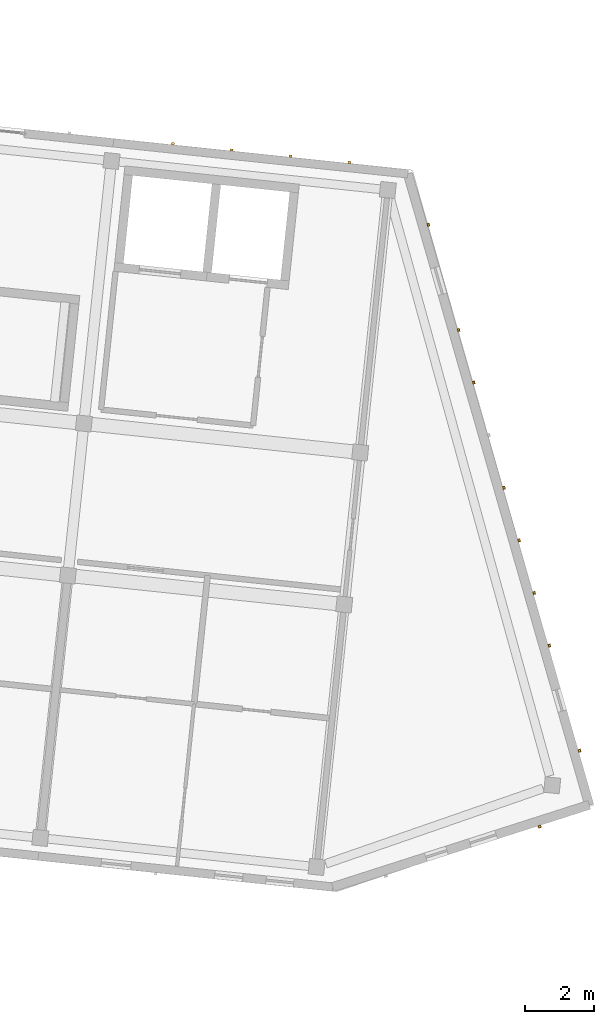
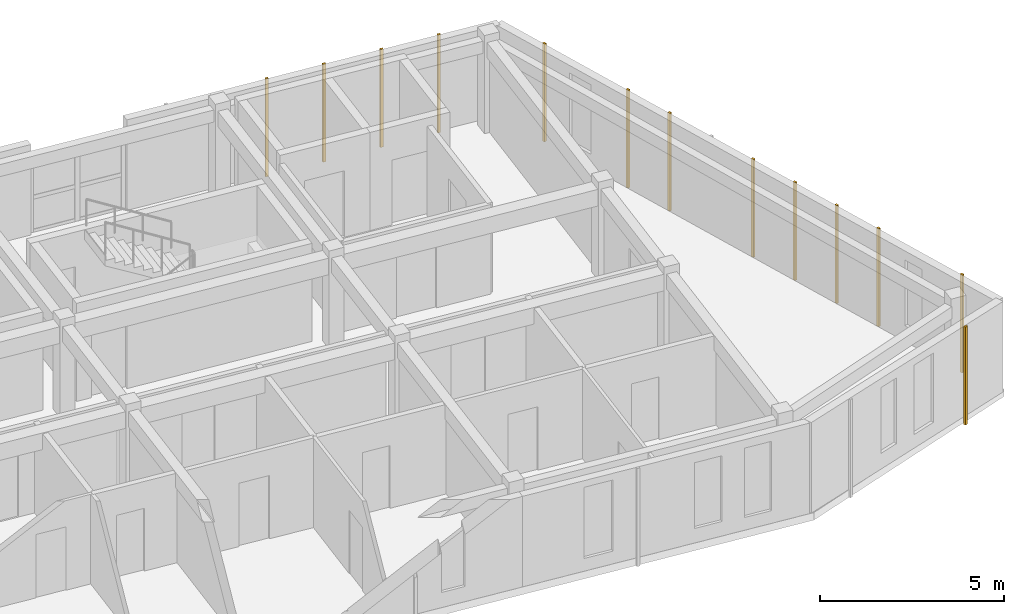
# One storey, part 33 of 34: 13 coverings.
"""IFC4 building model written with IfcOpenShell, lengths in metres."""

from ifc_helpers import new_model, si_unit, direction, frame, origin, origin_2d, place, context, subcontext, project, spatial, rectangle, extrude, material, layer, layer_set, type_object, element, save


model = new_model("IFC4")

# Units and contexts
model_context = context("Model", 3, precision=1e-05, world=origin(), true_north=direction((0.0, 1.0)))
body_context = subcontext(model_context, "Body", "Model", "MODEL_VIEW")
ifc_project = project(units=[si_unit("LENGTHUNIT", "METRE"), si_unit("AREAUNIT", "SQUARE_METRE"), si_unit("VOLUMEUNIT", "CUBIC_METRE"), si_unit("PLANEANGLEUNIT", "RADIAN"), si_unit("MASSUNIT", "GRAM", prefix="KILO")], contexts=[model_context])

# Site, building, storey
site_placement = place(None, origin())
site = spatial("IfcSite", under=ifc_project, at=site_placement, CompositionType="ELEMENT")
building_placement = place(site_placement, origin())
building = spatial("IfcBuilding", under=site, at=building_placement, Name="Kestramere Prow Commons", CompositionType="ELEMENT")
storey_placement = place(building_placement, frame((0.0, 0.0, 34.39990234375)))
storey = spatial("IfcBuildingStorey", under=building, at=storey_placement, Name="L10", CompositionType="ELEMENT", Elevation=34.39990234375)

# Coverings
ifc_material = material(Name="Weathered Zinc-Titanium Standing-Seam Cladding")
ifc_layer = layer(ifc_material, 0.074951171875)
ifc_layer_set = layer_set([ifc_layer], Name="Weathered Zinc-Titanium Standing-Seam Cladding")
covering_type = type_object("IfcCoveringType", Name="COV-CLAD-SEAM", PredefinedType="CLADDING", material=ifc_layer_set)
for number, where, z_axis, x_axis, name in (
    (1, (153.59619140625, 110.607177734375, -0.25), (0.0, 0.0, 1.0), (0.994521895368, -0.104528463268, 0.0), "EW-B-L10-N-5 Standing-Seam Rib 1"),
    (2, (155.291748046875, 110.428955078125, -0.25), (0.0, 0.0, 1.0), (0.994521895368, -0.104528463268, 0.0), "EW-B-L10-N-5 Standing-Seam Rib 2"),
    (3, (156.987548828125, 110.250732421875, -0.25), (0.0, 0.0, 1.0), (0.994521895368, -0.104528463268, 0.0), "EW-B-L10-N-5 Standing-Seam Rib 3"),
    (4, (158.68310546875, 110.072509765625, -0.25), (0.0, 0.0, 1.0), (0.994521895368, -0.104528463268, 0.0), "EW-B-L10-N-5 Standing-Seam Rib 4"),
    (5, (160.954345703125, 108.273193359375, -0.25), (0.0, 0.0, 1.0), (0.27631844013, -0.961066136977, 0.0), "EW-B-L10-PRW-N Standing-Seam Rib 1"),
    (6, (161.824951171875, 105.24462890625, -0.25), (0.0, 0.0, 1.0), (0.27631844013, -0.961066136977, 0.0), "EW-B-L10-PRW-N Standing-Seam Rib 3"),
    (7, (162.260498046875, 103.73046875, -0.25), (0.0, 0.0, 1.0), (0.27631844013, -0.961066136977, 0.0), "EW-B-L10-PRW-N Standing-Seam Rib 4"),
    (8, (163.131103515625, 100.7021484375, -0.25), (0.0, 0.0, 1.0), (0.27631844013, -0.961066136977, 0.0), "EW-B-L10-PRW-N Standing-Seam Rib 6"),
    (9, (163.56640625, 99.18798828125, -0.25), (0.0, 0.0, 1.0), (0.27631844013, -0.961066136977, 0.0), "EW-B-L10-PRW-N Standing-Seam Rib 7"),
    (10, (164.001708984375, 97.673583984375, -0.25), (0.0, 0.0, 1.0), (0.27631844013, -0.961066136977, 0.0), "EW-B-L10-PRW-N Standing-Seam Rib 8"),
    (11, (164.437255859375, 96.159423828125, -0.25), (0.0, 0.0, 1.0), (0.27631844013, -0.961066136977, 0.0), "EW-B-L10-PRW-N Standing-Seam Rib 9"),
    (12, (165.307861328125, 93.131103515625, -0.25), (0.0, 0.0, 1.0), (0.27631844013, -0.961066136977, 0.0), "EW-B-L10-PRW-N Standing-Seam Rib 11"),
    (13, (164.16015625, 90.94384765625, -0.25), (0.0, 0.0, 1.0), (-0.952283464374, -0.305215011884, 0.0), "EW-B-L10-PRW-S Standing-Seam Rib 1"),
):
    element("IfcCovering", number, at=place(storey_placement, frame(where, z_axis=z_axis, x_axis=x_axis)), inside=storey, type_object=covering_type, Name=name, PredefinedType="CLADDING", context=body_context, shape_type="SweptSolid", body=[
        extrude(rectangle(XDim=0.0849609375, YDim=0.06494140625, at=origin_2d()), origin(), (0.0, 0.0, 1.0), 3.25),
    ])

save(model, "model.ifc")
